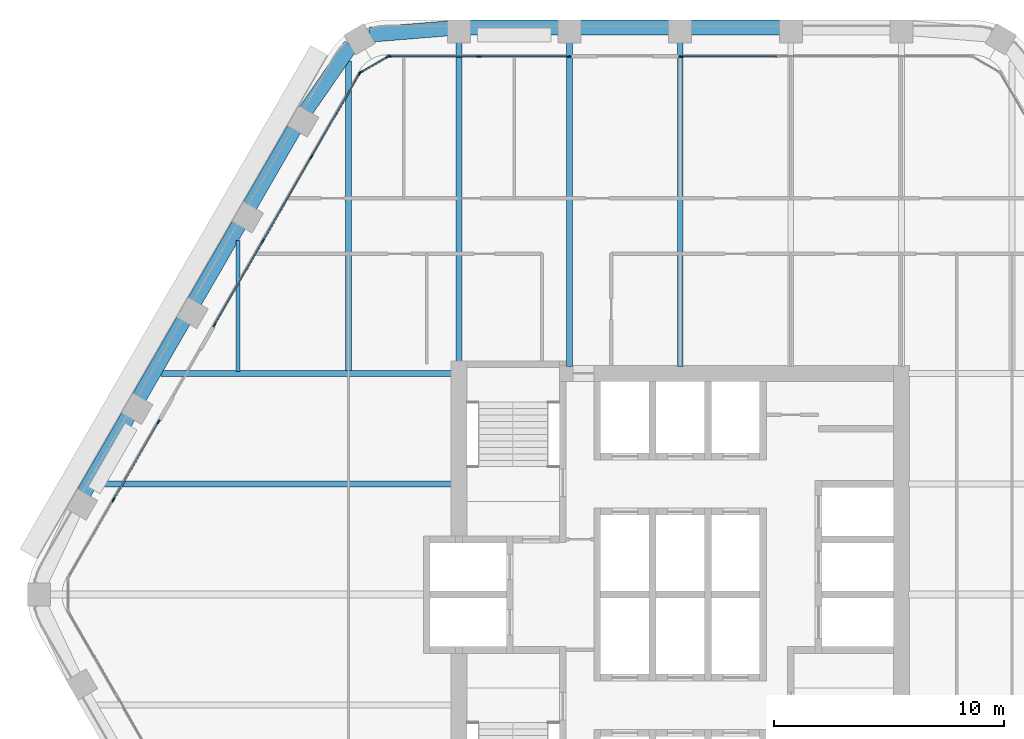
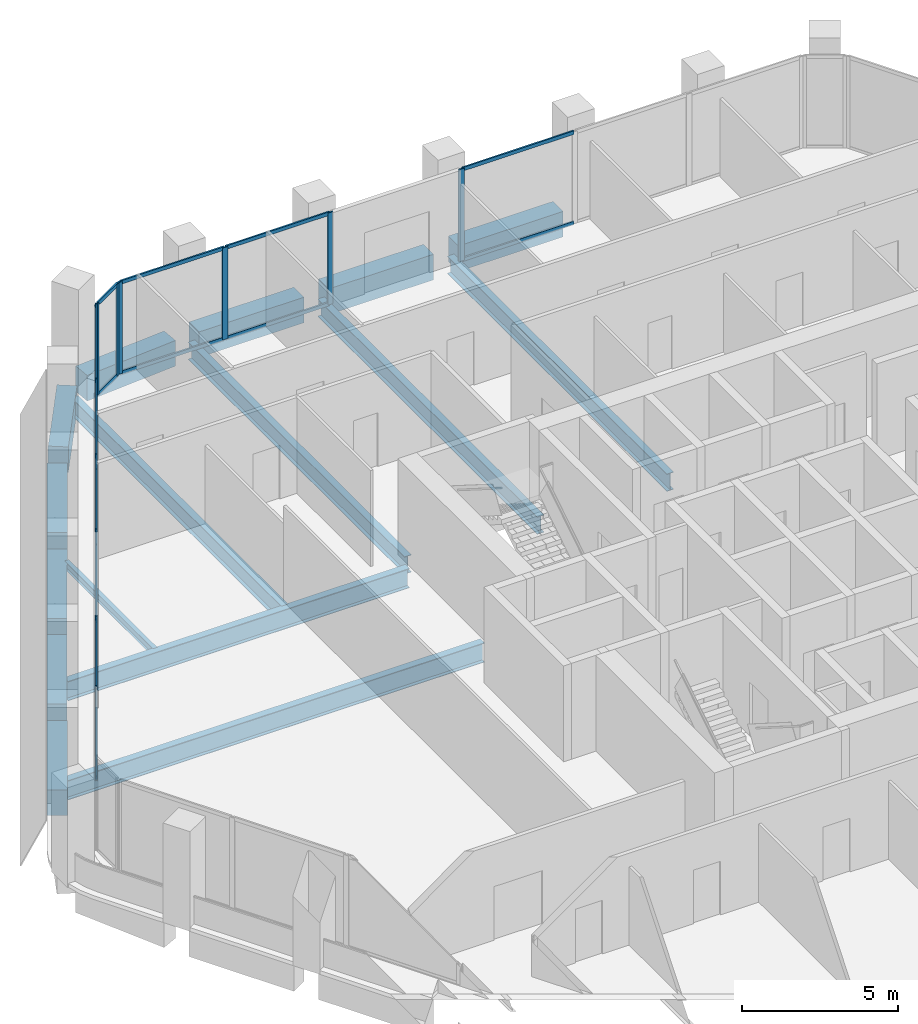
# One storey, part 6 of 16: 28 members, 16 beams, 5 elements without a shape of their own.
"""IFC4 building model written with IfcOpenShell, lengths in metres."""

from ifc_helpers import new_model, si_unit, direction, frame, origin, origin_2d, place, context, subcontext, project, spatial, rectangle, i_section, extrude, material, material_profile, profile_set, type_object, element, aggregate, save


model = new_model("IFC4")

# Units and contexts
model_context = context("Model", 3, precision=1e-05, world=origin(), true_north=direction((0.0, 1.0)))
body_context = subcontext(model_context, "Body", "Model", "MODEL_VIEW")
ifc_project = project(units=[si_unit("LENGTHUNIT", "METRE"), si_unit("AREAUNIT", "SQUARE_METRE"), si_unit("VOLUMEUNIT", "CUBIC_METRE"), si_unit("PLANEANGLEUNIT", "RADIAN"), si_unit("MASSUNIT", "GRAM", prefix="KILO")], contexts=[model_context])

# Site, building, storey
site_placement = place(None, origin())
site = spatial("IfcSite", under=ifc_project, at=site_placement, CompositionType="ELEMENT")
building_placement = place(site_placement, origin())
building = spatial("IfcBuilding", under=site, at=building_placement, Name="Kolab Exchange Tower", CompositionType="ELEMENT")
storey_placement = place(building_placement, frame((0.0, 0.0, 193.39990234375)))
storey = spatial("IfcBuildingStorey", under=building, at=storey_placement, Name="L41", CompositionType="ELEMENT", Elevation=193.39990234375)

# Beams
ifc_material_1 = material(Name="Steel S355", Category="steel")
ifc_material_profile_1 = material_profile(ifc_material_1, i_section(OverallWidth=0.1650390625, OverallDepth=0.31005859375, WebThickness=0.005859375, FlangeThickness=0.009765625, at=origin_2d()), Name="W310X39")
ifc_profile_set_1 = profile_set([ifc_material_profile_1], Name="Steel S355")
beam_type_1 = type_object("IfcBeamType", Name="FLOOR BEAM W310X39", PredefinedType="BEAM", material=ifc_profile_set_1)
beam_1_placement = place(storey_placement, frame((-19.199951171875, 9.693603515625, -0.304931640625), z_axis=(0.0, 1.0, 0.0), x_axis=(-1.0, 0.0, 0.0)))
element("IfcBeam", 1, at=beam_1_placement, inside=storey, type_object=beam_type_1, Name="beam/L41/fr/004", PredefinedType="BEAM", context=body_context, shape_type="SweptSolid", body=[
    extrude(i_section(OverallWidth=0.1650390625, OverallDepth=0.31005859375, WebThickness=0.005859375, FlangeThickness=0.009765625, at=origin_2d()), origin(), (0.0, 0.0, 1.0), 5.674072265625),
])
ifc_material_profile_2 = material_profile(ifc_material_1, i_section(OverallWidth=0.25390625, OverallDepth=0.68408203125, WebThickness=0.012451171875, FlangeThickness=0.018798828125, at=origin_2d()), Name="W690X140")
ifc_profile_set_2 = profile_set([ifc_material_profile_2], Name="Steel S355")
beam_type_2 = type_object("IfcBeamType", Name="FLOOR BEAM W690X140", PredefinedType="BEAM", material=ifc_profile_set_2)
beam_2_placement = place(storey_placement, frame((-14.39990234375, 9.693603515625, -0.491943359375), z_axis=(0.0, 1.0, 0.0), x_axis=(-1.0, 0.0, 0.0)))
element("IfcBeam", 2, at=beam_2_placement, inside=storey, type_object=beam_type_2, Name="beam/L41/fr/006", PredefinedType="BEAM", context=body_context, shape_type="SweptSolid", body=[
    extrude(i_section(OverallWidth=0.25390625, OverallDepth=0.68408203125, WebThickness=0.012451171875, FlangeThickness=0.018798828125, at=origin_2d()), origin(), (0.0, 0.0, 1.0), 13.462158203125),
])
beam_3_placement = place(storey_placement, frame((-9.60009765625, 10.110107421875, -0.491943359375), z_axis=(0.0, 1.0, 0.0), x_axis=(-1.0, 0.0, 0.0)))
element("IfcBeam", 3, at=beam_3_placement, inside=storey, type_object=beam_type_2, Name="beam/L41/fr/008", PredefinedType="BEAM", context=body_context, shape_type="SweptSolid", body=[
    extrude(i_section(OverallWidth=0.25390625, OverallDepth=0.68408203125, WebThickness=0.012451171875, FlangeThickness=0.018798828125, at=origin_2d()), origin(), (0.0, 0.0, 1.0), 13.871337890625),
])
for number, where, z_axis, x_axis, name in (
    (4, (-4.800048828125, 9.909912109375, -0.491943359375), (0.0, 1.0, 0.0), (-1.0, 0.0, 0.0), "beam/L41/fr/010"),
    (5, (0.0, 9.909912109375, -0.491943359375), (0.0, 1.0, 0.0), (-1.0, 0.0, 0.0), "beam/L41/fr/012"),
):
    element("IfcBeam", number, at=place(storey_placement, frame(where, z_axis=z_axis, x_axis=x_axis)), inside=storey, type_object=beam_type_2, Name=name, PredefinedType="BEAM", context=body_context, shape_type="SweptSolid", body=[
        extrude(i_section(OverallWidth=0.25390625, OverallDepth=0.68408203125, WebThickness=0.012451171875, FlangeThickness=0.018798828125, at=origin_2d()), origin(), (0.0, 0.0, 1.0), 14.071533203125),
    ])
ifc_material_profile_3 = material_profile(ifc_material_1, i_section(OverallWidth=0.26708984375, OverallDepth=0.761962890625, WebThickness=0.014404296875, FlangeThickness=0.021484375, at=origin_2d()), Name="W760X173")
ifc_profile_set_3 = profile_set([ifc_material_profile_3], Name="Steel S355")
beam_type_3 = type_object("IfcBeamType", Name="FLOOR BEAM W760X173", PredefinedType="BEAM", material=ifc_profile_set_3)
beam_4_placement = place(storey_placement, frame((-25.318115234375, 4.800048828125, -0.531005859375), z_axis=(1.0, 0.0, 0.0), x_axis=(0.0, 1.0, 0.0)))
element("IfcBeam", 6, at=beam_4_placement, inside=storey, type_object=beam_type_3, Name="beam/L41/fr/002", PredefinedType="BEAM", context=body_context, shape_type="SweptSolid", body=[
    extrude(i_section(OverallWidth=0.26708984375, OverallDepth=0.761962890625, WebThickness=0.014404296875, FlangeThickness=0.021484375, at=origin_2d()), origin(), (0.0, 0.0, 1.0), 15.408203125),
])
ifc_material_profile_4 = material_profile(ifc_material_1, i_section(OverallWidth=0.26708984375, OverallDepth=0.761962890625, WebThickness=0.014404296875, FlangeThickness=0.021484375, at=origin_2d()), Name="W760X173")
ifc_profile_set_4 = profile_set([ifc_material_profile_4], Name="Steel S355")
beam_type_4 = type_object("IfcBeamType", Name="FLOOR GIRDER W760X173", PredefinedType="BEAM", material=ifc_profile_set_4)
beam_5_placement = place(storey_placement, frame((-22.546875, 9.60009765625, -0.531005859375), z_axis=(1.0, 0.0, 0.0), x_axis=(0.0, 1.0, 0.0)))
element("IfcBeam", 7, at=beam_5_placement, inside=storey, type_object=beam_type_4, Name="beam/L41/gd/001", PredefinedType="BEAM", context=body_context, shape_type="SweptSolid", body=[
    extrude(i_section(OverallWidth=0.26708984375, OverallDepth=0.761962890625, WebThickness=0.014404296875, FlangeThickness=0.021484375, at=origin_2d()), origin(), (0.0, 0.0, 1.0), 12.636962890625),
])
ifc_material_2 = material(Name="Concrete C60/75", Category="concrete")
ifc_material_profile_5 = material_profile(ifc_material_2, rectangle(XDim=0.64990234375, YDim=1.0, at=origin_2d()), Name="RC650X1000")
ifc_profile_set_5 = profile_set([ifc_material_profile_5], Name="Concrete C60/75")
beam_type_5 = type_object("IfcBeamType", Name="SPANDREL BEAM 650X1000 C60/75", PredefinedType="BEAM", material=ifc_profile_set_5)
beam_6_placement = place(storey_placement, frame((-13.493896484375, 24.2998046875, -0.64990234375), z_axis=(0.996708497182, 0.081068931445, 0.0), x_axis=(-0.081068931445, 0.996708497182, 0.0)))
element("IfcBeam", 8, at=beam_6_placement, inside=storey, type_object=beam_type_5, Name="beam/L41/sp/F1-01", PredefinedType="BEAM", context=body_context, shape_type="SweptSolid", body=[
    extrude(rectangle(XDim=0.64990234375, YDim=1.0, at=origin_2d()), origin(), (0.0, 0.0, 1.0), 3.445068359375),
])
beam_7_placement = place(storey_placement, frame((-9.139892578125, 24.616455078125, -0.64990234375), z_axis=(1.0, 0.0, 0.0), x_axis=(0.0, 1.0, 0.0)))
element("IfcBeam", 9, at=beam_7_placement, inside=storey, type_object=beam_type_5, Name="beam/L41/sp/F1-02", PredefinedType="BEAM", context=body_context, shape_type="SweptSolid", body=[
    extrude(rectangle(XDim=0.64990234375, YDim=1.0, at=origin_2d()), origin(), (0.0, 0.0, 1.0), 3.8798828125),
])
for number, where, z_axis, x_axis, name in (
    (10, (-4.340087890625, 24.616455078125, -0.64990234375), (1.0, 0.0, 0.0), (0.0, 1.0, 0.0), "beam/L41/sp/F1-03"),
    (11, (0.4599609375, 24.616455078125, -0.64990234375), (1.0, 0.0, 0.0), (0.0, 1.0, 0.0), "beam/L41/sp/F1-04"),
):
    element("IfcBeam", number, at=place(storey_placement, frame(where, z_axis=z_axis, x_axis=x_axis)), inside=storey, type_object=beam_type_5, Name=name, PredefinedType="BEAM", context=body_context, shape_type="SweptSolid", body=[
        extrude(rectangle(XDim=0.64990234375, YDim=1.0, at=origin_2d()), origin(), (0.0, 0.0, 1.0), 3.880126953125),
    ])
for number, where, z_axis, x_axis, name in (
    (12, (-25.888427734375, 4.392822265625, -0.64990234375), (0.499996613652, 0.866027358884, 0.0), (-0.866027358884, 0.499996613652, 0.0), "beam/L41/sp/F6-02"),
    (13, (-23.488525390625, 8.5498046875, -0.64990234375), (0.499996613652, 0.866027358884, 0.0), (-0.866027358884, 0.499996613652, 0.0), "beam/L41/sp/F6-03"),
):
    element("IfcBeam", number, at=place(storey_placement, frame(where, z_axis=z_axis, x_axis=x_axis)), inside=storey, type_object=beam_type_5, Name=name, PredefinedType="BEAM", context=body_context, shape_type="SweptSolid", body=[
        extrude(rectangle(XDim=0.64990234375, YDim=1.0, at=origin_2d()), origin(), (0.0, 0.0, 1.0), 3.8798828125),
    ])
beam_8_placement = place(storey_placement, frame((-21.088623046875, 12.70654296875, -0.64990234375), z_axis=(0.50001655835, 0.866015843605, 0.0), x_axis=(-0.866015843605, 0.50001655835, 0.0)))
element("IfcBeam", 14, at=beam_8_placement, inside=storey, type_object=beam_type_5, Name="beam/L41/sp/F6-04", PredefinedType="BEAM", context=body_context, shape_type="SweptSolid", body=[
    extrude(rectangle(XDim=0.64990234375, YDim=1.0, at=origin_2d()), origin(), (0.0, 0.0, 1.0), 3.880126953125),
])
beam_9_placement = place(storey_placement, frame((-18.6884765625, 16.863525390625, -0.64990234375), z_axis=(0.499996613652, 0.866027358884, 0.0), x_axis=(-0.866027358884, 0.499996613652, 0.0)))
element("IfcBeam", 15, at=beam_9_placement, inside=storey, type_object=beam_type_5, Name="beam/L41/sp/F6-05", PredefinedType="BEAM", context=body_context, shape_type="SweptSolid", body=[
    extrude(rectangle(XDim=0.64990234375, YDim=1.0, at=origin_2d()), origin(), (0.0, 0.0, 1.0), 3.8798828125),
])
beam_10_placement = place(storey_placement, frame((-16.256103515625, 21.001953125, -0.64990234375), z_axis=(0.568572281073, 0.822633309073, 0.0), x_axis=(-0.822633309073, 0.568572281073, 0.0)))
element("IfcBeam", 16, at=beam_10_placement, inside=storey, type_object=beam_type_5, Name="beam/L41/sp/F6-06", PredefinedType="BEAM", context=body_context, shape_type="SweptSolid", body=[
    extrude(rectangle(XDim=0.64990234375, YDim=1.0, at=origin_2d()), origin(), (0.0, 0.0, 1.0), 3.445068359375),
])

# Curtain wall, members
ifc_material_3 = material(Name="Aluminium EN AW-6063 T6", Category="aluminium")
curtain_wall_type = type_object("IfcCurtainWallType", Name="UNITISED UPPER MID ZONE CURTAIN WALL", PredefinedType="NOTDEFINED", material=ifc_material_3)
curtain_wall_1_placement = place(storey_placement, origin())
curtain_wall_1 = element("IfcCurtainWall", 17, at=curtain_wall_1_placement, inside=storey, type_object=curtain_wall_type, Name="cw/L41/F1-1", PredefinedType="NOTDEFINED")
ifc_material_profile_6 = material_profile(ifc_material_3, rectangle(XDim=0.06005859375, YDim=0.199951171875, at=origin_2d()), Name="RECT 60X200")
ifc_profile_set_6 = profile_set([ifc_material_profile_6], Name="Aluminium EN AW-6063 T6")
member_type_1 = type_object("IfcMemberType", Name="UNITISED UPPER MID ZONE MULLION 60 X 200", PredefinedType="MULLION", material=ifc_profile_set_6)
member_1_placement = place(storey_placement, frame((-12.637939453125, 23.361572265625, 0.0), z_axis=(0.0, 0.0, 1.0), x_axis=(0.0, 1.0, 0.0)))
member_1 = element("IfcMember", 18, at=member_1_placement, type_object=member_type_1, Name="CW3 mullion 1", PredefinedType="MULLION", context=body_context, shape_type="SweptSolid", body=[
    extrude(rectangle(XDim=0.06005859375, YDim=0.199951171875, at=origin_2d()), origin(), (0.0, 0.0, 1.0), 3.60009765625),
])
member_2_placement = place(storey_placement, frame((-8.73388671875, 23.361572265625, 0.0), z_axis=(0.0, 0.0, 1.0), x_axis=(0.0, 1.0, 0.0)))
member_2 = element("IfcMember", 19, at=member_2_placement, type_object=member_type_1, Name="CW3 mullion 2", PredefinedType="MULLION", context=body_context, shape_type="SweptSolid", body=[
    extrude(rectangle(XDim=0.06005859375, YDim=0.199951171875, at=origin_2d()), origin(), (0.0, 0.0, 1.0), 3.60009765625),
])
member_3_placement = place(storey_placement, frame((-4.830078125, 23.361572265625, 0.0), z_axis=(0.0, 0.0, 1.0), x_axis=(0.0, 1.0, 0.0)))
member_3 = element("IfcMember", 20, at=member_3_placement, type_object=member_type_1, Name="CW3 mullion 3", PredefinedType="MULLION", context=body_context, shape_type="SweptSolid", body=[
    extrude(rectangle(XDim=0.06005859375, YDim=0.199951171875, at=origin_2d()), origin(), (0.0, 0.0, 1.0), 3.60009765625),
])

# Curtain wall, member
curtain_wall_2_placement = place(storey_placement, origin())
curtain_wall_2 = element("IfcCurtainWall", 21, at=curtain_wall_2_placement, inside=storey, type_object=curtain_wall_type, Name="cw/L41/F1-2", PredefinedType="NOTDEFINED")
member_4_placement = place(storey_placement, frame((0.030029296875, 23.361572265625, 0.0), z_axis=(0.0, 0.0, 1.0), x_axis=(0.0, 1.0, 0.0)))
member_4 = element("IfcMember", 22, at=member_4_placement, type_object=member_type_1, Name="CW3 mullion 1", PredefinedType="MULLION", context=body_context, shape_type="SweptSolid", body=[
    extrude(rectangle(XDim=0.06005859375, YDim=0.199951171875, at=origin_2d()), origin(), (0.0, 0.0, 1.0), 3.60009765625),
])

# Curtain wall, members
curtain_wall_3_placement = place(storey_placement, origin())
curtain_wall_3 = element("IfcCurtainWall", 23, at=curtain_wall_3_placement, inside=storey, type_object=curtain_wall_type, Name="cw/L41/F6-1", PredefinedType="NOTDEFINED")
member_5_placement = place(storey_placement, frame((-24.5986328125, 4.116943359375, 0.0), z_axis=(0.0, 0.0, 1.0), x_axis=(-0.866025440524, 0.499999936366, 0.0)))
member_5 = element("IfcMember", 24, at=member_5_placement, type_object=member_type_1, Name="CW3 mullion 2", PredefinedType="MULLION", context=body_context, shape_type="SweptSolid", body=[
    extrude(rectangle(XDim=0.06005859375, YDim=0.199951171875, at=origin_2d()), origin(), (0.0, 0.0, 1.0), 3.60009765625),
])
member_6_placement = place(storey_placement, frame((-22.646728515625, 7.497802734375, 0.0), z_axis=(0.0, 0.0, 1.0), x_axis=(-0.866025440524, 0.499999936366, 0.0)))
member_6 = element("IfcMember", 25, at=member_6_placement, type_object=member_type_1, Name="CW3 mullion 3", PredefinedType="MULLION", context=body_context, shape_type="SweptSolid", body=[
    extrude(rectangle(XDim=0.06005859375, YDim=0.199951171875, at=origin_2d()), origin(), (0.0, 0.0, 1.0), 3.60009765625),
])

curtain_wall_4_placement = place(storey_placement, origin())
curtain_wall_4 = element("IfcCurtainWall", 26, at=curtain_wall_4_placement, inside=storey, type_object=curtain_wall_type, Name="cw/L41/F6-2", PredefinedType="NOTDEFINED")
member_7_placement = place(storey_placement, frame((-20.216796875, 11.706787109375, 0.0), z_axis=(0.0, 0.0, 1.0), x_axis=(-0.866025393644, 0.500000017564, 0.0)))
member_7 = element("IfcMember", 27, at=member_7_placement, type_object=member_type_1, Name="CW3 mullion 1", PredefinedType="MULLION", context=body_context, shape_type="SweptSolid", body=[
    extrude(rectangle(XDim=0.06005859375, YDim=0.199951171875, at=origin_2d()), origin(), (0.0, 0.0, 1.0), 3.60009765625),
])
member_8_placement = place(storey_placement, frame((-18.120361328125, 15.337646484375, 0.0), z_axis=(0.0, 0.0, 1.0), x_axis=(-0.866025393644, 0.500000017564, 0.0)))
member_8 = element("IfcMember", 28, at=member_8_placement, type_object=member_type_1, Name="CW3 mullion 2", PredefinedType="MULLION", context=body_context, shape_type="SweptSolid", body=[
    extrude(rectangle(XDim=0.06005859375, YDim=0.199951171875, at=origin_2d()), origin(), (0.0, 0.0, 1.0), 3.60009765625),
])
member_9_placement = place(storey_placement, frame((-16.009033203125, 18.99462890625, 0.0), z_axis=(0.0, 0.0, 1.0), x_axis=(-0.866025393644, 0.500000017564, 0.0)))
member_9 = element("IfcMember", 29, at=member_9_placement, type_object=member_type_1, Name="CW3 mullion 3", PredefinedType="MULLION", context=body_context, shape_type="SweptSolid", body=[
    extrude(rectangle(XDim=0.06005859375, YDim=0.199951171875, at=origin_2d()), origin(), (0.0, 0.0, 1.0), 3.60009765625),
])
member_10_placement = place(storey_placement, frame((-13.91259765625, 22.62548828125, 0.0), z_axis=(0.0, 0.0, 1.0), x_axis=(-0.866025393644, 0.500000017564, 0.0)))
member_10 = element("IfcMember", 30, at=member_10_placement, type_object=member_type_1, Name="CW3 mullion 4", PredefinedType="MULLION", context=body_context, shape_type="SweptSolid", body=[
    extrude(rectangle(XDim=0.06005859375, YDim=0.199951171875, at=origin_2d()), origin(), (0.0, 0.0, 1.0), 3.60009765625),
])

curtain_wall_5_placement = place(storey_placement, origin())
curtain_wall_5 = element("IfcCurtainWall", 31, at=curtain_wall_5_placement, inside=storey, type_object=curtain_wall_type, Name="cw/L41/F6F1-corner", PredefinedType="NOTDEFINED")
member_11_placement = place(storey_placement, frame((-13.871826171875, 22.66650390625, 0.0), z_axis=(0.0, 0.0, 1.0), x_axis=(-0.50000002237, 0.866025390869, 0.0)))
member_11 = element("IfcMember", 32, at=member_11_placement, type_object=member_type_1, Name="CW3 mullion 1", PredefinedType="MULLION", context=body_context, shape_type="SweptSolid", body=[
    extrude(rectangle(XDim=0.06005859375, YDim=0.199951171875, at=origin_2d()), origin(), (0.0, 0.0, 1.0), 3.60009765625),
])
member_12_placement = place(storey_placement, frame((-12.69384765625, 23.346435546875, 0.0), z_axis=(0.0, 0.0, 1.0), x_axis=(-0.50000002237, 0.866025390869, 0.0)))
member_12 = element("IfcMember", 33, at=member_12_placement, type_object=member_type_1, Name="CW3 mullion 2", PredefinedType="MULLION", context=body_context, shape_type="SweptSolid", body=[
    extrude(rectangle(XDim=0.06005859375, YDim=0.199951171875, at=origin_2d()), origin(), (0.0, 0.0, 1.0), 3.60009765625),
])

# Member
ifc_material_profile_7 = material_profile(ifc_material_3, rectangle(XDim=0.06005859375, YDim=0.139892578125, at=origin_2d()), Name="RECT 60X140")
ifc_profile_set_7 = profile_set([ifc_material_profile_7], Name="Aluminium EN AW-6063 T6")
member_type_2 = type_object("IfcMemberType", Name="UNITISED UPPER MID ZONE TRANSOM 60 X 140", PredefinedType="USERDEFINED", material=ifc_profile_set_7)
member_13_placement = place(storey_placement, frame((-12.60791015625, 23.361572265625, 0.030029296875), z_axis=(1.0, 0.0, 0.0), x_axis=(0.0, 1.0, 0.0)))
member_13 = element("IfcMember", 34, at=member_13_placement, type_object=member_type_2, Name="CW3 transom 1.1", ObjectType="TRANSOM", PredefinedType="USERDEFINED", context=body_context, shape_type="SweptSolid", body=[
    extrude(rectangle(XDim=0.06005859375, YDim=0.139892578125, at=origin_2d()), origin(), (0.0, 0.0, 1.0), 3.843994140625),
])

member_14_placement = place(storey_placement, frame((-12.60791015625, 23.361572265625, 3.570068359375), z_axis=(1.0, 0.0, 0.0), x_axis=(0.0, 1.0, 0.0)))
member_14 = element("IfcMember", 35, at=member_14_placement, type_object=member_type_2, Name="CW3 transom 1.2", ObjectType="TRANSOM", PredefinedType="USERDEFINED", context=body_context, shape_type="SweptSolid", body=[
    extrude(rectangle(XDim=0.06005859375, YDim=0.139892578125, at=origin_2d()), origin(), (0.0, 0.0, 1.0), 3.843994140625),
])

member_15_placement = place(storey_placement, frame((-8.703857421875, 23.361572265625, 0.030029296875), z_axis=(1.0, 0.0, 0.0), x_axis=(0.0, 1.0, 0.0)))
member_15 = element("IfcMember", 36, at=member_15_placement, type_object=member_type_2, Name="CW3 transom 2.1", ObjectType="TRANSOM", PredefinedType="USERDEFINED", context=body_context, shape_type="SweptSolid", body=[
    extrude(rectangle(XDim=0.06005859375, YDim=0.139892578125, at=origin_2d()), origin(), (0.0, 0.0, 1.0), 3.84375),
])

member_16_placement = place(storey_placement, frame((-8.703857421875, 23.361572265625, 3.570068359375), z_axis=(1.0, 0.0, 0.0), x_axis=(0.0, 1.0, 0.0)))
member_16 = element("IfcMember", 37, at=member_16_placement, type_object=member_type_2, Name="CW3 transom 2.2", ObjectType="TRANSOM", PredefinedType="USERDEFINED", context=body_context, shape_type="SweptSolid", body=[
    extrude(rectangle(XDim=0.06005859375, YDim=0.139892578125, at=origin_2d()), origin(), (0.0, 0.0, 1.0), 3.84375),
])

aggregate(curtain_wall_1, [member_1, member_2, member_3, member_13, member_14, member_15, member_16])

member_17_placement = place(storey_placement, frame((0.06005859375, 23.361572265625, 0.030029296875), z_axis=(1.0, 0.0, 0.0), x_axis=(0.0, 1.0, 0.0)))
member_17 = element("IfcMember", 38, at=member_17_placement, type_object=member_type_2, Name="CW3 transom 1.1", ObjectType="TRANSOM", PredefinedType="USERDEFINED", context=body_context, shape_type="SweptSolid", body=[
    extrude(rectangle(XDim=0.06005859375, YDim=0.139892578125, at=origin_2d()), origin(), (0.0, 0.0, 1.0), 4.132568359375),
])

member_18_placement = place(storey_placement, frame((0.06005859375, 23.361572265625, 3.570068359375), z_axis=(1.0, 0.0, 0.0), x_axis=(0.0, 1.0, 0.0)))
member_18 = element("IfcMember", 39, at=member_18_placement, type_object=member_type_2, Name="CW3 transom 1.2", ObjectType="TRANSOM", PredefinedType="USERDEFINED", context=body_context, shape_type="SweptSolid", body=[
    extrude(rectangle(XDim=0.06005859375, YDim=0.139892578125, at=origin_2d()), origin(), (0.0, 0.0, 1.0), 4.132568359375),
])

aggregate(curtain_wall_2, [member_4, member_17, member_18])

member_19_placement = place(storey_placement, frame((-24.583740234375, 4.142822265625, 0.030029296875), z_axis=(0.500011990396, 0.866018481016, 0.0), x_axis=(-0.866018481016, 0.500011990396, 0.0)))
member_19 = element("IfcMember", 40, at=member_19_placement, type_object=member_type_2, Name="CW3 transom 2.1", ObjectType="TRANSOM", PredefinedType="USERDEFINED", context=body_context, shape_type="SweptSolid", body=[
    extrude(rectangle(XDim=0.06005859375, YDim=0.139892578125, at=origin_2d()), origin(), (0.0, 0.0, 1.0), 3.84423828125),
])

member_20_placement = place(storey_placement, frame((-24.583740234375, 4.142822265625, 3.570068359375), z_axis=(0.500011990396, 0.866018481016, 0.0), x_axis=(-0.866018481016, 0.500011990396, 0.0)))
member_20 = element("IfcMember", 41, at=member_20_placement, type_object=member_type_2, Name="CW3 transom 2.2", ObjectType="TRANSOM", PredefinedType="USERDEFINED", context=body_context, shape_type="SweptSolid", body=[
    extrude(rectangle(XDim=0.06005859375, YDim=0.139892578125, at=origin_2d()), origin(), (0.0, 0.0, 1.0), 3.84423828125),
])

aggregate(curtain_wall_3, [member_5, member_6, member_19, member_20])

member_21_placement = place(storey_placement, frame((-20.20166015625, 11.732666015625, 0.030029296875), z_axis=(0.500001996123, 0.866024251319, 0.0), x_axis=(-0.866024251319, 0.500001996123, 0.0)))
member_21 = element("IfcMember", 42, at=member_21_placement, type_object=member_type_2, Name="CW3 transom 1.1", ObjectType="TRANSOM", PredefinedType="USERDEFINED", context=body_context, shape_type="SweptSolid", body=[
    extrude(rectangle(XDim=0.06005859375, YDim=0.139892578125, at=origin_2d()), origin(), (0.0, 0.0, 1.0), 4.1328125),
])

member_22_placement = place(storey_placement, frame((-20.20166015625, 11.732666015625, 3.570068359375), z_axis=(0.500001996123, 0.866024251319, 0.0), x_axis=(-0.866024251319, 0.500001996123, 0.0)))
member_22 = element("IfcMember", 43, at=member_22_placement, type_object=member_type_2, Name="CW3 transom 1.2", ObjectType="TRANSOM", PredefinedType="USERDEFINED", context=body_context, shape_type="SweptSolid", body=[
    extrude(rectangle(XDim=0.06005859375, YDim=0.139892578125, at=origin_2d()), origin(), (0.0, 0.0, 1.0), 4.1328125),
])

member_23_placement = place(storey_placement, frame((-18.10546875, 15.36376953125, 0.030029296875), z_axis=(0.500037208726, 0.86600392025, 0.0), x_axis=(-0.86600392025, 0.500037208726, 0.0)))
member_23 = element("IfcMember", 44, at=member_23_placement, type_object=member_type_2, Name="CW3 transom 2.1", ObjectType="TRANSOM", PredefinedType="USERDEFINED", context=body_context, shape_type="SweptSolid", body=[
    extrude(rectangle(XDim=0.06005859375, YDim=0.139892578125, at=origin_2d()), origin(), (0.0, 0.0, 1.0), 4.162841796875),
])

member_24_placement = place(storey_placement, frame((-18.10546875, 15.36376953125, 3.570068359375), z_axis=(0.500037208726, 0.86600392025, 0.0), x_axis=(-0.86600392025, 0.500037208726, 0.0)))
member_24 = element("IfcMember", 45, at=member_24_placement, type_object=member_type_2, Name="CW3 transom 2.2", ObjectType="TRANSOM", PredefinedType="USERDEFINED", context=body_context, shape_type="SweptSolid", body=[
    extrude(rectangle(XDim=0.06005859375, YDim=0.139892578125, at=origin_2d()), origin(), (0.0, 0.0, 1.0), 4.162841796875),
])

member_25_placement = place(storey_placement, frame((-15.994140625, 19.0205078125, 0.030029296875), z_axis=(0.500001996123, 0.866024251319, 0.0), x_axis=(-0.866024251319, 0.500001996123, 0.0)))
member_25 = element("IfcMember", 46, at=member_25_placement, type_object=member_type_2, Name="CW3 transom 3.1", ObjectType="TRANSOM", PredefinedType="USERDEFINED", context=body_context, shape_type="SweptSolid", body=[
    extrude(rectangle(XDim=0.06005859375, YDim=0.139892578125, at=origin_2d()), origin(), (0.0, 0.0, 1.0), 4.1328125),
])

member_26_placement = place(storey_placement, frame((-15.994140625, 19.0205078125, 3.570068359375), z_axis=(0.500001996123, 0.866024251319, 0.0), x_axis=(-0.866024251319, 0.500001996123, 0.0)))
member_26 = element("IfcMember", 47, at=member_26_placement, type_object=member_type_2, Name="CW3 transom 3.2", ObjectType="TRANSOM", PredefinedType="USERDEFINED", context=body_context, shape_type="SweptSolid", body=[
    extrude(rectangle(XDim=0.06005859375, YDim=0.139892578125, at=origin_2d()), origin(), (0.0, 0.0, 1.0), 4.1328125),
])

aggregate(curtain_wall_4, [member_7, member_8, member_9, member_10, member_21, member_22, member_23, member_24, member_25, member_26])

member_27_placement = place(storey_placement, frame((-13.845703125, 22.681640625, 0.030029296875), z_axis=(0.86603858612, 0.49997716683, 0.0), x_axis=(-0.49997716683, 0.86603858612, 0.0)))
member_27 = element("IfcMember", 48, at=member_27_placement, type_object=member_type_2, Name="CW3 transom 1.1", ObjectType="TRANSOM", PredefinedType="USERDEFINED", context=body_context, shape_type="SweptSolid", body=[
    extrude(rectangle(XDim=0.06005859375, YDim=0.139892578125, at=origin_2d()), origin(), (0.0, 0.0, 1.0), 1.2998046875),
])

member_28_placement = place(storey_placement, frame((-13.845703125, 22.681640625, 3.570068359375), z_axis=(0.86603858612, 0.49997716683, 0.0), x_axis=(-0.49997716683, 0.86603858612, 0.0)))
member_28 = element("IfcMember", 49, at=member_28_placement, type_object=member_type_2, Name="CW3 transom 1.2", ObjectType="TRANSOM", PredefinedType="USERDEFINED", context=body_context, shape_type="SweptSolid", body=[
    extrude(rectangle(XDim=0.06005859375, YDim=0.139892578125, at=origin_2d()), origin(), (0.0, 0.0, 1.0), 1.2998046875),
])

aggregate(curtain_wall_5, [member_11, member_12, member_27, member_28])

save(model, "model.ifc")
